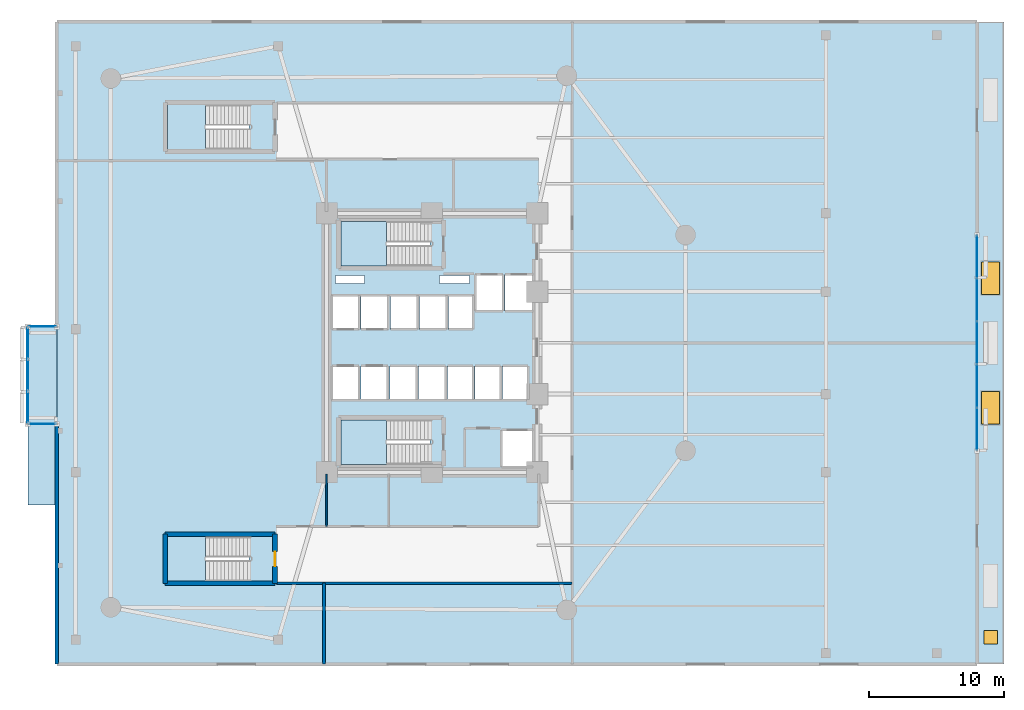
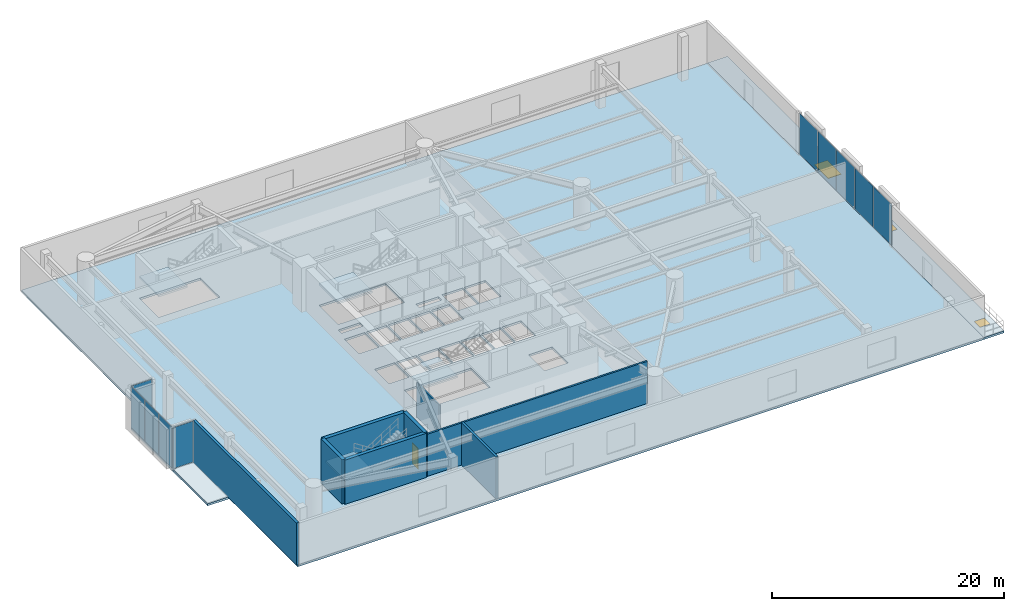
# One storey, part 8 of 16: 10 plates, 8 slabs, 8 walls, 2 doors, 2 windows, 4 openings, 8 elements without a shape of their own.
"""IFC4 building model written with IfcOpenShell, lengths in metres."""

from ifc_helpers import new_model, si_unit, direction, frame, frame_2d, origin, origin_2d, place, context, subcontext, project, spatial, polyline, rectangle, outline, extrude, material, layer, layer_set, type_object, element, fill, aggregate, save


model = new_model("IFC4")

# Units and contexts
model_context = context("Model", 3, precision=1e-05, world=origin(), true_north=direction((0.0, 1.0)))
body_context = subcontext(model_context, "Body", "Model", "MODEL_VIEW")
ifc_project = project(units=[si_unit("LENGTHUNIT", "METRE"), si_unit("AREAUNIT", "SQUARE_METRE"), si_unit("VOLUMEUNIT", "CUBIC_METRE"), si_unit("PLANEANGLEUNIT", "RADIAN"), si_unit("MASSUNIT", "GRAM", prefix="KILO")], contexts=[model_context])

# Site, building, storey
site_placement = place(None, origin())
site = spatial("IfcSite", under=ifc_project, at=site_placement, CompositionType="ELEMENT")
building_placement = place(site_placement, origin())
building = spatial("IfcBuilding", under=site, at=building_placement, Name="An Khanh Terracotta Commons", CompositionType="ELEMENT")
storey_placement = place(building_placement, frame((0.0, 0.0, 10.050048828125)))
storey = spatial("IfcBuildingStorey", under=building, at=storey_placement, Name="L03", CompositionType="ELEMENT", Elevation=10.050048828125)

# Curtain wall, plates
ifc_material_1 = material(Name="Anodised Aluminium 6063-T6", Category="aluminium")
ifc_layer_1 = layer(ifc_material_1, 0.179931640625, Name="Anodised Aluminium 6063-T6")
ifc_layer_set_1 = layer_set([ifc_layer_1], Name="Anodised Aluminium 6063-T6")
curtain_wall_type_1 = type_object("IfcCurtainWallType", Name="CW-SYS-01", PredefinedType="USERDEFINED", material=ifc_layer_set_1)
curtain_wall_1_placement = place(storey_placement, origin())
curtain_wall_1 = element("IfcCurtainWall", 1, at=curtain_wall_1_placement, inside=storey, type_object=curtain_wall_type_1, Name="L03 CW-01 Unitised Curtain Wall CW-L03-EAST", ObjectType="UNITISED CURTAIN WALL", PredefinedType="USERDEFINED")
ifc_material_2 = material(Name="Double Low-E Podium Glazing", Category="glass")
ifc_layer_2 = layer(ifc_material_2, 0.031982421875, Name="Double Low-E Podium Glazing")
ifc_layer_set_2 = layer_set([ifc_layer_2], Name="Double Low-E Podium Glazing")
plate_type_1 = type_object("IfcPlateType", Name="CWP-IGU-32", PredefinedType="CURTAIN_PANEL", material=ifc_layer_set_2)
plate_1_placement = place(storey_placement, frame((69.800048828125, 17.6162109375, 0.059814453125), z_axis=(0.0, 0.0, 1.0), x_axis=(0.0, 1.0, 0.0)))
plate_1 = element("IfcPlate", 2, at=plate_1_placement, type_object=plate_type_1, Name="CW-01 panel 1.1", PredefinedType="CURTAIN_PANEL", context=body_context, shape_type="SweptSolid", body=[
    extrude(rectangle(XDim=3.1025390625, YDim=0.031982421875, at=origin_2d()), origin(), (0.0, 0.0, 1.0), 4.31005859375),
])
plate_2_placement = place(storey_placement, frame((69.800048828125, 20.800048828125, 0.059814453125), z_axis=(0.0, 0.0, 1.0), x_axis=(0.0, 1.0, 0.0)))
plate_2 = element("IfcPlate", 3, at=plate_2_placement, type_object=plate_type_1, Name="CW-01 panel 2.1", PredefinedType="CURTAIN_PANEL", context=body_context, shape_type="SweptSolid", body=[
    extrude(rectangle(XDim=3.135009765625, YDim=0.031982421875, at=origin_2d()), origin(), (0.0, 0.0, 1.0), 4.31005859375),
])
plate_3_placement = place(storey_placement, frame((69.800048828125, 24.0, 0.059814453125), z_axis=(0.0, 0.0, 1.0), x_axis=(0.0, 1.0, 0.0)))
plate_3 = element("IfcPlate", 4, at=plate_3_placement, type_object=plate_type_1, Name="CW-01 panel 3.1", PredefinedType="CURTAIN_PANEL", context=body_context, shape_type="SweptSolid", body=[
    extrude(rectangle(XDim=3.135009765625, YDim=0.031982421875, at=origin_2d()), origin(), (0.0, 0.0, 1.0), 4.31005859375),
])
plate_4_placement = place(storey_placement, frame((69.800048828125, 27.199951171875, 0.059814453125), z_axis=(0.0, 0.0, 1.0), x_axis=(0.0, 1.0, 0.0)))
plate_4 = element("IfcPlate", 5, at=plate_4_placement, type_object=plate_type_1, Name="CW-01 panel 4.1", PredefinedType="CURTAIN_PANEL", context=body_context, shape_type="SweptSolid", body=[
    extrude(rectangle(XDim=3.135009765625, YDim=0.031982421875, at=origin_2d()), origin(), (0.0, 0.0, 1.0), 4.31005859375),
])
plate_5_placement = place(storey_placement, frame((69.800048828125, 30.3837890625, 0.059814453125), z_axis=(0.0, 0.0, 1.0), x_axis=(0.0, 1.0, 0.0)))
plate_5 = element("IfcPlate", 6, at=plate_5_placement, type_object=plate_type_1, Name="CW-01 panel 5.1", PredefinedType="CURTAIN_PANEL", context=body_context, shape_type="SweptSolid", body=[
    extrude(rectangle(XDim=3.1025390625, YDim=0.031982421875, at=origin_2d()), origin(), (0.0, 0.0, 1.0), 4.31005859375),
])
aggregate(curtain_wall_1, [plate_1, plate_2, plate_3, plate_4, plate_5])

ifc_layer_3 = layer(ifc_material_1, 0.239990234375, Name="Anodised Aluminium 6063-T6")
ifc_layer_set_3 = layer_set([ifc_layer_3], Name="Anodised Aluminium 6063-T6")
curtain_wall_type_2 = type_object("IfcCurtainWallType", Name="CW-SYS-04", PredefinedType="USERDEFINED", material=ifc_layer_set_3)
curtain_wall_2_placement = place(storey_placement, origin())
curtain_wall_2 = element("IfcCurtainWall", 7, at=curtain_wall_2_placement, inside=storey, type_object=curtain_wall_type_2, Name="L03 CW-04 Unitised Curtain Wall CW-L03-WBOX-1", ObjectType="UNITISED CURTAIN WALL", PredefinedType="USERDEFINED")
ifc_material_3 = material(Name="Triple-Silver Sky-Lobby Glazing", Category="glass")
ifc_layer_4 = layer(ifc_material_3, 0.0400390625, Name="Triple-Silver Sky-Lobby Glazing")
ifc_layer_set_4 = layer_set([ifc_layer_4], Name="Triple-Silver Sky-Lobby Glazing")
plate_type_2 = type_object("IfcPlateType", Name="CWP-IGU-40", PredefinedType="CURTAIN_PANEL", material=ifc_layer_set_4)
plate_6_placement = place(storey_placement, frame((-0.550048828125, 23.97998046875, 0.059814453125), z_axis=(0.0, 0.0, 1.0), x_axis=(0.0, -1.0, 0.0)))
plate_6 = element("IfcPlate", 8, at=plate_6_placement, type_object=plate_type_2, Name="CW-04 panel 1.1", PredefinedType="CURTAIN_PANEL", context=body_context, shape_type="SweptSolid", body=[
    extrude(rectangle(XDim=2.280029296875, YDim=0.0400390625, at=origin_2d()), origin(), (0.0, 0.0, 1.0), 4.31005859375),
])
plate_7_placement = place(storey_placement, frame((-0.550048828125, 21.60009765625, 0.059814453125), z_axis=(0.0, 0.0, 1.0), x_axis=(0.0, -1.0, 0.0)))
plate_7 = element("IfcPlate", 9, at=plate_7_placement, type_object=plate_type_2, Name="CW-04 panel 2.1", PredefinedType="CURTAIN_PANEL", context=body_context, shape_type="SweptSolid", body=[
    extrude(rectangle(XDim=2.320068359375, YDim=0.0400390625, at=origin_2d()), origin(), (0.0, 0.0, 1.0), 4.31005859375),
])
plate_8_placement = place(storey_placement, frame((-0.550048828125, 19.219970703125, 0.059814453125), z_axis=(0.0, 0.0, 1.0), x_axis=(0.0, -1.0, 0.0)))
plate_8 = element("IfcPlate", 10, at=plate_8_placement, type_object=plate_type_2, Name="CW-04 panel 3.1", PredefinedType="CURTAIN_PANEL", context=body_context, shape_type="SweptSolid", body=[
    extrude(rectangle(XDim=2.280029296875, YDim=0.0400390625, at=origin_2d()), origin(), (0.0, 0.0, 1.0), 4.31005859375),
])
aggregate(curtain_wall_2, [plate_6, plate_7, plate_8])

# Curtain wall, plate
curtain_wall_3_placement = place(storey_placement, origin())
curtain_wall_3 = element("IfcCurtainWall", 11, at=curtain_wall_3_placement, inside=storey, type_object=curtain_wall_type_2, Name="L03 CW-04 Unitised Curtain Wall CW-L03-WBOX-2", ObjectType="UNITISED CURTAIN WALL", PredefinedType="USERDEFINED")
plate_9_placement = place(storey_placement, frame((0.52490234375, 18.0, 0.059814453125), z_axis=(0.0, 0.0, 1.0), x_axis=(-1.0, 0.0, 0.0)))
plate_9 = element("IfcPlate", 12, at=plate_9_placement, type_object=plate_type_2, Name="CW-04 panel 1.1", PredefinedType="CURTAIN_PANEL", context=body_context, shape_type="SweptSolid", body=[
    extrude(rectangle(XDim=1.989990234375, YDim=0.0400390625, at=origin_2d()), origin(), (0.0, 0.0, 1.0), 4.31005859375),
])
aggregate(curtain_wall_3, [plate_9])

curtain_wall_4_placement = place(storey_placement, origin())
curtain_wall_4 = element("IfcCurtainWall", 13, at=curtain_wall_4_placement, inside=storey, type_object=curtain_wall_type_2, Name="L03 CW-04 Unitised Curtain Wall CW-L03-WBOX-3", ObjectType="UNITISED CURTAIN WALL", PredefinedType="USERDEFINED")
plate_10_placement = place(storey_placement, frame((0.52490234375, 25.199951171875, 0.059814453125), z_axis=(0.0, 0.0, 1.0), x_axis=(1.0, 0.0, 0.0)))
plate_10 = element("IfcPlate", 14, at=plate_10_placement, type_object=plate_type_2, Name="CW-04 panel 1.1", PredefinedType="CURTAIN_PANEL", context=body_context, shape_type="SweptSolid", body=[
    extrude(rectangle(XDim=1.989990234375, YDim=0.0400390625, at=origin_2d()), origin(), (0.0, 0.0, 1.0), 4.31005859375),
])
aggregate(curtain_wall_4, [plate_10])

# Slab
ifc_material_4 = material(Name="Concrete C40/50", Category="concrete")
ifc_layer_5 = layer(ifc_material_4, 0.22998046875, Name="Concrete C40/50")
ifc_layer_set_5 = layer_set([ifc_layer_5], Name="Concrete C40/50")
slab_type_1 = type_object("IfcSlabType", Name="SLAB-BOXROOF-230", PredefinedType="ROOF", material=ifc_layer_set_5)
slab_1_placement = place(storey_placement, frame((0.0, 0.0, -0.219970703125)))
element("IfcSlab", 15, at=slab_1_placement, inside=storey, type_object=slab_type_1, Name="L03 Shifted Social Kitchen Box Closing Roof Slab (L02)", PredefinedType="ROOF", context=body_context, shape_type="SweptSolid", body=[
    extrude(outline(polyline([(1.60009765625, 12.0), (-0.550048828125, 12.0), (-0.550048828125, 17.97998046875), (1.60009765625, 17.97998046875), (1.60009765625, 12.0)])), origin(), (0.0, 0.0, 1.0), 0.219970703125),
])

# Stair, slab
ifc_material_5 = material(Name="Precast concrete C40/50", Category="concrete")
stair_type_1 = type_object("IfcStairType", Name="STAIR-CORE-1550", PredefinedType="HALF_TURN_STAIR", material=ifc_material_5)
stair_1_placement = place(storey_placement, origin())
stair_1 = element("IfcStair", 16, at=stair_1_placement, inside=storey, type_object=stair_type_1, Name="L03 Core Smokeproof Exit Stair ST-01", PredefinedType="HALF_TURN_STAIR")
ifc_layer_6 = layer(ifc_material_4, 0.18994140625, Name="Concrete C40/50")
ifc_layer_set_6 = layer_set([ifc_layer_6], Name="Concrete C40/50")
slab_type_2 = type_object("IfcSlabType", Name="SLAB-LANDING-190", PredefinedType="LANDING", material=ifc_layer_set_6)
slab_2_placement = place(storey_placement, frame((0.0, 0.0, 2.125)))
slab_2 = element("IfcSlab", 17, at=slab_2_placement, type_object=slab_type_2, Name="ST-01 landing 1", PredefinedType="LANDING", context=body_context, shape_type="SweptSolid", body=[
    extrude(outline(polyline([(26.050048828125, 33.0), (22.64990234375, 33.0), (22.64990234375, 29.699951171875), (26.050048828125, 29.699951171875), (26.050048828125, 33.0)])), origin(), (0.0, 0.0, 1.0), 0.199951171875),
])
aggregate(stair_1, [slab_2])

stair_2_placement = place(storey_placement, origin())
stair_2 = element("IfcStair", 18, at=stair_2_placement, inside=storey, type_object=stair_type_1, Name="L03 Core Smokeproof Exit Stair ST-02", PredefinedType="HALF_TURN_STAIR")
slab_3_placement = place(storey_placement, frame((0.0, 0.0, 2.125)))
slab_3 = element("IfcSlab", 19, at=slab_3_placement, type_object=slab_type_2, Name="ST-02 landing 1", PredefinedType="LANDING", context=body_context, shape_type="SweptSolid", body=[
    extrude(outline(polyline([(26.050048828125, 18.300048828125), (22.64990234375, 18.300048828125), (22.64990234375, 15.0), (26.050048828125, 15.0), (26.050048828125, 18.300048828125)])), origin(), (0.0, 0.0, 1.0), 0.199951171875),
])
aggregate(stair_2, [slab_3])

stair_type_2 = type_object("IfcStairType", Name="STAIR-POD-1550", PredefinedType="HALF_TURN_STAIR", material=ifc_material_4)
stair_3_placement = place(storey_placement, origin())
stair_3 = element("IfcStair", 20, at=stair_3_placement, inside=storey, type_object=stair_type_2, Name="L03 Podium Commons Exit Stair ST-P1", PredefinedType="HALF_TURN_STAIR")
slab_4_placement = place(storey_placement, frame((0.0, 0.0, 2.125)))
slab_4 = element("IfcSlab", 21, at=slab_4_placement, type_object=slab_type_2, Name="ST-P1 landing 1", PredefinedType="LANDING", context=body_context, shape_type="SweptSolid", body=[
    extrude(outline(polyline([(12.639892578125, 9.64990234375), (9.800048828125, 9.64990234375), (9.800048828125, 6.35009765625), (12.639892578125, 6.35009765625), (12.639892578125, 9.64990234375)])), origin(), (0.0, 0.0, 1.0), 0.199951171875),
])
aggregate(stair_3, [slab_4])

stair_4_placement = place(storey_placement, origin())
stair_4 = element("IfcStair", 22, at=stair_4_placement, inside=storey, type_object=stair_type_2, Name="L03 Podium Commons Exit Stair ST-P2", PredefinedType="HALF_TURN_STAIR")
slab_5_placement = place(storey_placement, frame((0.0, 0.0, 2.125)))
slab_5 = element("IfcSlab", 23, at=slab_5_placement, type_object=slab_type_2, Name="ST-P2 landing 1", PredefinedType="LANDING", context=body_context, shape_type="SweptSolid", body=[
    extrude(outline(polyline([(12.639892578125, 41.64990234375), (9.800048828125, 41.64990234375), (9.800048828125, 38.35009765625), (12.639892578125, 38.35009765625), (12.639892578125, 41.64990234375)])), origin(), (0.0, 0.0, 1.0), 0.199951171875),
])
aggregate(stair_4, [slab_5])

# Slabs
ifc_layer_7 = layer(ifc_material_4, 0.219970703125, Name="Concrete C40/50")
ifc_layer_set_7 = layer_set([ifc_layer_7], Name="Concrete C40/50")
slab_type_3 = type_object("IfcSlabType", Name="SLAB-POD-220", PredefinedType="FLOOR", material=ifc_layer_set_7)
slab_6_placement = place(storey_placement, frame((0.0, 0.0, -0.219970703125)))
element("IfcSlab", 24, at=slab_6_placement, inside=storey, type_object=slab_type_3, Name="L03 Structural Floor Slab", PredefinedType="FLOOR", context=body_context, shape_type="SweptSolid", body=[
    extrude(outline(polyline([(1.60009765625, 0.199951171875), (69.800048828125, 0.199951171875), (69.800048828125, 47.800048828125), (1.60009765625, 47.800048828125), (1.60009765625, 0.199951171875)]), holes=[polyline([(22.64990234375, 29.699951171875), (29.27001953125, 29.699951171875), (29.27001953125, 33.0), (22.64990234375, 33.0), (22.64990234375, 29.699951171875)]), polyline([(22.64990234375, 15.0), (29.27001953125, 15.0), (29.27001953125, 18.300048828125), (22.64990234375, 18.300048828125), (22.64990234375, 15.0)]), polyline([(9.800048828125, 6.35009765625), (15.860107421875, 6.35009765625), (15.860107421875, 9.64990234375), (9.800048828125, 9.64990234375), (9.800048828125, 6.35009765625)]), polyline([(9.800048828125, 38.35009765625), (15.860107421875, 38.35009765625), (15.860107421875, 41.64990234375), (9.800048828125, 41.64990234375), (9.800048828125, 38.35009765625)]), polyline([(32.60009765625, 26.35009765625), (34.679931640625, 26.35009765625), (34.679931640625, 29.080078125), (32.60009765625, 29.080078125), (32.60009765625, 26.35009765625)]), polyline([(34.820068359375, 26.35009765625), (36.89990234375, 26.35009765625), (36.89990234375, 29.080078125), (34.820068359375, 29.080078125), (34.820068359375, 26.35009765625)]), polyline([(34.550048828125, 14.800048828125), (36.89990234375, 14.800048828125), (36.89990234375, 17.550048828125), (34.550048828125, 17.550048828125), (34.550048828125, 14.800048828125)]), polyline([(22.0, 25.0), (24.02001953125, 25.0), (24.02001953125, 27.5), (22.0, 27.5), (22.0, 25.0)]), polyline([(24.159912109375, 25.0), (26.179931640625, 25.0), (26.179931640625, 27.5), (24.159912109375, 27.5), (24.159912109375, 25.0)]), polyline([(22.0, 19.800048828125), (24.0, 19.800048828125), (24.0, 22.300048828125), (22.0, 22.300048828125), (22.0, 19.800048828125)]), polyline([(24.139892578125, 19.800048828125), (26.139892578125, 19.800048828125), (26.139892578125, 22.300048828125), (24.139892578125, 22.300048828125), (24.139892578125, 19.800048828125)]), polyline([(26.320068359375, 25.0), (28.340087890625, 25.0), (28.340087890625, 27.5), (26.320068359375, 27.5), (26.320068359375, 25.0)]), polyline([(28.47998046875, 25.0), (30.5, 25.0), (30.5, 27.5), (28.47998046875, 27.5), (28.47998046875, 25.0)]), polyline([(26.280029296875, 19.800048828125), (28.280029296875, 19.800048828125), (28.280029296875, 22.300048828125), (26.280029296875, 22.300048828125), (26.280029296875, 19.800048828125)]), polyline([(28.419921875, 19.800048828125), (30.419921875, 19.800048828125), (30.419921875, 22.300048828125), (28.419921875, 22.300048828125), (28.419921875, 19.800048828125)]), polyline([(30.639892578125, 25.0), (32.4599609375, 25.0), (32.4599609375, 27.5), (30.639892578125, 27.5), (30.639892578125, 25.0)]), polyline([(30.56005859375, 19.800048828125), (32.4599609375, 19.800048828125), (32.4599609375, 22.300048828125), (30.56005859375, 22.300048828125), (30.56005859375, 19.800048828125)]), polyline([(32.60009765625, 19.800048828125), (34.5, 19.800048828125), (34.5, 22.300048828125), (32.60009765625, 22.300048828125), (32.60009765625, 19.800048828125)]), polyline([(34.639892578125, 19.800048828125), (36.5400390625, 19.800048828125), (36.5400390625, 22.300048828125), (34.639892578125, 22.300048828125), (34.639892578125, 19.800048828125)]), polyline([(22.25, 28.419921875), (24.39990234375, 28.419921875), (24.39990234375, 28.97998046875), (22.25, 28.97998046875), (22.25, 28.419921875)]), polyline([(29.949951171875, 28.419921875), (32.199951171875, 28.419921875), (32.199951171875, 28.97998046875), (29.949951171875, 28.97998046875), (29.949951171875, 28.419921875)])]), origin(), (0.0, 0.0, 1.0), 0.219970703125),
])
slab_7_placement = place(storey_placement, frame((0.0, 0.0, -0.219970703125)))
element("IfcSlab", 25, at=slab_7_placement, inside=storey, type_object=slab_type_3, Name="L03 Shifted Social Kitchen Box Floor Slab", PredefinedType="FLOOR", context=body_context, shape_type="SweptSolid", body=[
    extrude(outline(polyline([(-0.550048828125, 18.0), (1.60009765625, 18.0), (1.60009765625, 25.199951171875), (-0.550048828125, 25.199951171875), (-0.550048828125, 18.0)])), origin(), (0.0, 0.0, 1.0), 0.219970703125),
])

# Slab, openings, door, windows
ifc_layer_8 = layer(ifc_material_4, 0.2099609375, Name="Concrete C40/50")
ifc_layer_set_8 = layer_set([ifc_layer_8], Name="Concrete C40/50")
slab_type_4 = type_object("IfcSlabType", Name="SLAB-TERR-210", PredefinedType="ROOF", material=ifc_layer_set_8)
slab_8_placement = place(storey_placement, frame((0.0, 0.0, -0.2099609375)))
slab_8 = element("IfcSlab", 26, at=slab_8_placement, inside=storey, type_object=slab_type_4, Name="L03 Cascading Garden Terrace Roof Slab", PredefinedType="ROOF", context=body_context, shape_type="SweptSolid", body=[
    extrude(outline(polyline([(69.800048828125, 0.199951171875), (71.800048828125, 0.199951171875), (71.800048828125, 47.800048828125), (69.800048828125, 47.800048828125), (69.800048828125, 0.199951171875)])), origin(), (0.0, 0.0, 1.0), 0.2099609375),
])
opening_1_placement = place(slab_8_placement, frame((70.800048828125, 19.199951171875, 0.0)))
opening_1 = element("IfcOpeningElement", 27, at=opening_1_placement, cuts=slab_8, Name="Opening SK-02", PredefinedType="OPENING", context=body_context, shape_type="SweptSolid", body=[
    extrude(rectangle(XDim=1.300048828125, YDim=2.39990234375, at=origin_2d()), frame((0.0, 0.0, -0.010009765625)), (0.0, 0.0, 1.0), 0.22998046875),
])
opening_2_placement = place(slab_8_placement, frame((70.800048828125, 28.800048828125, 0.0)))
opening_2 = element("IfcOpeningElement", 28, at=opening_2_placement, cuts=slab_8, Name="Opening SK-02", PredefinedType="OPENING", context=body_context, shape_type="SweptSolid", body=[
    extrude(rectangle(XDim=1.300048828125, YDim=2.39990234375, at=origin_2d()), frame((0.0, 0.0, -0.010009765625)), (0.0, 0.0, 1.0), 0.22998046875),
])
opening_3_placement = place(slab_8_placement, frame((70.800048828125, 2.199951171875, 0.0)))
opening_3 = element("IfcOpeningElement", 29, at=opening_3_placement, cuts=slab_8, Name="Opening RH-01", PredefinedType="OPENING", context=body_context, shape_type="SweptSolid", body=[
    extrude(rectangle(XDim=1.0, YDim=1.0, at=origin_2d()), frame((0.0, 0.0, -0.010009765625)), (0.0, 0.0, 1.0), 0.22998046875),
])
ifc_material_6 = material(Name="Insulated Marine-Grade Aluminium", Category="aluminium")
door_type_1 = type_object("IfcDoorType", Name="HATCH-ROOF-1000", OperationType="NOTDEFINED", PredefinedType="TRAPDOOR", material=ifc_material_6)
door_1_placement = place(opening_3_placement, frame((0.0, 0.0, 0.159912109375)))
door_1 = element("IfcDoor", 30, at=door_1_placement, inside=storey, type_object=door_type_1, Name="L03 Terrace Services Access Hatch", OperationType="SINGLE_SWING_LEFT", OverallHeight=1.0, OverallWidth=1.0, PredefinedType="TRAPDOOR", context=body_context, shape_type="SweptSolid", body=[
    extrude(rectangle(XDim=1.0, YDim=1.0, at=origin_2d()), origin(), (0.0, 0.0, 1.0), 0.050048828125),
])
fill(opening_3, door_1)
ifc_material_7 = material(Name="Laminated Solar-Control Skylight Glazing", Category="glass")
window_type = type_object("IfcWindowType", Name="SKY-3000x2400", PartitioningType="SINGLE_PANEL", PredefinedType="SKYLIGHT", material=ifc_material_7)
window_1_placement = place(opening_1_placement, frame((0.0, 0.0, 0.159912109375)))
window_1 = element("IfcWindow", 31, at=window_1_placement, inside=storey, type_object=window_type, Name="L03 Cascading Terrace Rooflight 1", OverallHeight=2.39990234375, OverallWidth=1.300048828125, PartitioningType="SINGLE_PANEL", PredefinedType="SKYLIGHT", context=body_context, shape_type="SweptSolid", body=[
    extrude(rectangle(XDim=1.300048828125, YDim=2.39990234375, at=origin_2d()), origin(), (0.0, 0.0, 1.0), 0.050048828125),
])
fill(opening_1, window_1)
window_2_placement = place(opening_2_placement, frame((0.0, 0.0, 0.159912109375)))
window_2 = element("IfcWindow", 32, at=window_2_placement, inside=storey, type_object=window_type, Name="L03 Cascading Terrace Rooflight 2", OverallHeight=2.39990234375, OverallWidth=1.300048828125, PartitioningType="SINGLE_PANEL", PredefinedType="SKYLIGHT", context=body_context, shape_type="SweptSolid", body=[
    extrude(rectangle(XDim=1.300048828125, YDim=2.39990234375, at=origin_2d()), origin(), (0.0, 0.0, 1.0), 0.050048828125),
])
fill(opening_2, window_2)

# Walls
ifc_material_8 = material(Name="Fire-Rated Gypsum Board on Steel Stud", Category="steel")
ifc_layer_9 = layer(ifc_material_8, 0.179931640625, Name="Fire-Rated Gypsum Board on Steel Stud")
ifc_layer_set_9 = layer_set([ifc_layer_9], Name="Fire-Rated Gypsum Board on Steel Stud")
wall_type_1 = type_object("IfcWallType", Name="WALL-CORR-180", PredefinedType="PARTITIONING", material=ifc_layer_set_9)
wall_1_placement = place(storey_placement, frame((17.889892578125, 6.199951171875, 0.0), z_axis=(0.0, 0.0, 1.0), x_axis=(1.0, 0.0, 0.0)))
element("IfcWall", 33, at=wall_1_placement, inside=storey, type_object=wall_type_1, Name="L03 Interior Partition IW-L03-E001", PredefinedType="PARTITIONING", context=body_context, shape_type="SweptSolid", body=[
    extrude(rectangle(XDim=21.91015625, YDim=0.179931640625, at=frame_2d((10.955078125, 0.0))), origin(), (0.0, 0.0, 1.0), 4.429931640625),
])
ifc_material_9 = material(Name="Acoustic Double-Stud Gypsum and Mineral Wool")
ifc_layer_10 = layer(ifc_material_9, 0.219970703125, Name="Acoustic Double-Stud Gypsum and Mineral Wool")
ifc_layer_set_10 = layer_set([ifc_layer_10], Name="Acoustic Double-Stud Gypsum and Mineral Wool")
wall_type_2 = type_object("IfcWallType", Name="WALL-PARTY-220", PredefinedType="PARTITIONING", material=ifc_layer_set_10)
wall_2_placement = place(storey_placement, frame((21.39990234375, 0.199951171875, 0.0), z_axis=(0.0, 0.0, 1.0), x_axis=(0.0, 1.0, 0.0)))
element("IfcWall", 34, at=wall_2_placement, inside=storey, type_object=wall_type_2, Name="L03 Interior Partition IW-L03-E007", PredefinedType="PARTITIONING", context=body_context, shape_type="SweptSolid", body=[
    extrude(rectangle(XDim=6.0, YDim=0.219970703125, at=frame_2d((3.0, 0.0))), origin(), (0.0, 0.0, 1.0), 4.429931640625),
])
ifc_layer_11 = layer(ifc_material_4, 0.260009765625, Name="Concrete C40/50")
ifc_layer_set_11 = layer_set([ifc_layer_11], Name="Concrete C40/50")
wall_type_3 = type_object("IfcWallType", Name="WALL-POD-260", PredefinedType="SOLIDWALL", material=ifc_layer_set_11)
wall_3_placement = place(storey_placement, frame((1.60009765625, 0.199951171875, 0.0), z_axis=(0.0, 0.0, 1.0), x_axis=(0.0, 1.0, 0.0)))
element("IfcWall", 35, at=wall_3_placement, inside=storey, type_object=wall_type_3, Name="L03 West Exterior Wall South", PredefinedType="SOLIDWALL", context=body_context, shape_type="SweptSolid", body=[
    extrude(rectangle(XDim=17.800048828125, YDim=0.260009765625, at=frame_2d((8.89990234375, 0.0))), origin(), (0.0, 0.0, 1.0), 4.429931640625),
])
ifc_material_10 = material(Name="Concrete C50/60", Category="concrete")
ifc_layer_12 = layer(ifc_material_10, 0.35009765625, Name="Concrete C50/60")
ifc_layer_set_12 = layer_set([ifc_layer_12], Name="Concrete C50/60")
wall_type_4 = type_object("IfcWallType", Name="WALL-SHAFT-350", PredefinedType="SOLIDWALL", material=ifc_layer_set_12)
wall_4_placement = place(storey_placement, frame((9.6298828125, 6.179931640625, 0.0), z_axis=(0.0, 0.0, 1.0), x_axis=(0.0, 1.0, 0.0)))
element("IfcWall", 36, at=wall_4_placement, inside=storey, type_object=wall_type_4, Name="L03 Podium Stair ST-P1 W Wall", PredefinedType="SOLIDWALL", context=body_context, shape_type="SweptSolid", body=[
    extrude(rectangle(XDim=3.64013671875, YDim=0.35009765625, at=frame_2d((1.820068359375, 0.0))), origin(), (0.0, 0.0, 1.0), 4.64990234375),
])
for number, where, z_axis, x_axis, name in (
    (37, (9.6298828125, 9.820068359375, 0.0), (0.0, 0.0, 1.0), (1.0, 0.0, 0.0), "L03 Podium Stair ST-P1 N Wall"),
    (38, (17.77001953125, 6.179931640625, 0.0), (0.0, 0.0, 1.0), (-1.0, 0.0, 0.0), "L03 Podium Stair ST-P1 S Wall"),
):
    element("IfcWall", number, at=place(storey_placement, frame(where, z_axis=z_axis, x_axis=x_axis)), inside=storey, type_object=wall_type_4, Name=name, PredefinedType="SOLIDWALL", context=body_context, shape_type="SweptSolid", body=[
        extrude(rectangle(XDim=8.14013671875, YDim=0.35009765625, at=frame_2d((4.070068359375, 0.0))), origin(), (0.0, 0.0, 1.0), 4.64990234375),
    ])

# Wall, opening, door
wall_5_placement = place(storey_placement, frame((17.77001953125, 6.179931640625, 0.0), z_axis=(0.0, 0.0, 1.0), x_axis=(0.0, 1.0, 0.0)))
wall_5 = element("IfcWall", 39, at=wall_5_placement, inside=storey, type_object=wall_type_4, Name="L03 Podium Stair ST-P1 E Wall", PredefinedType="SOLIDWALL", context=body_context, shape_type="SweptSolid", body=[
    extrude(rectangle(XDim=3.64013671875, YDim=0.35009765625, at=frame_2d((1.820068359375, 0.0))), origin(), (0.0, 0.0, 1.0), 4.64990234375),
])
opening_4_placement = place(wall_5_placement, frame((1.25, 0.0, 0.0)))
opening_4 = element("IfcOpeningElement", 40, at=opening_4_placement, cuts=wall_5, Name="Opening D-ST", PredefinedType="OPENING", context=body_context, shape_type="SweptSolid", body=[
    extrude(rectangle(XDim=1.10009765625, YDim=2.14990234375, at=frame_2d((0.550048828125, 1.074951171875))), frame((0.0, 0.18505859375, 0.0), z_axis=(0.0, -1.0, 0.0), x_axis=(1.0, 0.0, 0.0)), (0.0, 0.0, 1.0), 0.3701171875),
])
ifc_material_11 = material(Name="Fire-Rated Steel Leaf and Frame", Category="steel")
door_type_2 = type_object("IfcDoorType", Name="DOOR-STAIR-1100", OperationType="NOTDEFINED", PredefinedType="DOOR", material=ifc_material_11)
door_2_placement = place(opening_4_placement, origin())
door_2 = element("IfcDoor", 41, at=door_2_placement, inside=storey, type_object=door_type_2, Name="L03 Podium Stair ST-P1 Fire Door", OperationType="SINGLE_SWING_LEFT", OverallHeight=2.14990234375, OverallWidth=1.10009765625, PredefinedType="DOOR", context=body_context, shape_type="SweptSolid", body=[
    extrude(rectangle(XDim=1.10009765625, YDim=2.14990234375, at=frame_2d((0.550048828125, 1.074951171875))), frame((0.0, 0.02490234375, 0.0), z_axis=(0.0, -1.0, 0.0), x_axis=(1.0, 0.0, 0.0)), (0.0, 0.0, 1.0), 0.050048828125),
])
fill(opening_4, door_2)

# Wall
ifc_material_12 = material(Name="Moisture-Resistant Cement Board Partition")
ifc_layer_13 = layer(ifc_material_12, 0.1201171875, Name="Moisture-Resistant Cement Board Partition")
ifc_layer_set_13 = layer_set([ifc_layer_13], Name="Moisture-Resistant Cement Board Partition")
wall_type_5 = type_object("IfcWallType", Name="WALL-WET-120", PredefinedType="PARTITIONING", material=ifc_layer_set_13)
wall_6_placement = place(storey_placement, frame((21.60009765625, 10.39990234375, 0.0), z_axis=(0.0, 0.0, 1.0), x_axis=(0.0, 1.0, 0.0)))
element("IfcWall", 42, at=wall_6_placement, inside=storey, type_object=wall_type_5, Name="L03 Interior Partition IW-L03-E008", PredefinedType="PARTITIONING", context=body_context, shape_type="SweptSolid", body=[
    extrude(rectangle(XDim=3.880126953125, YDim=0.1201171875, at=frame_2d((1.93994140625, 0.0))), origin(), (0.0, 0.0, 1.0), 3.612060546875),
])

save(model, "model.ifc")
